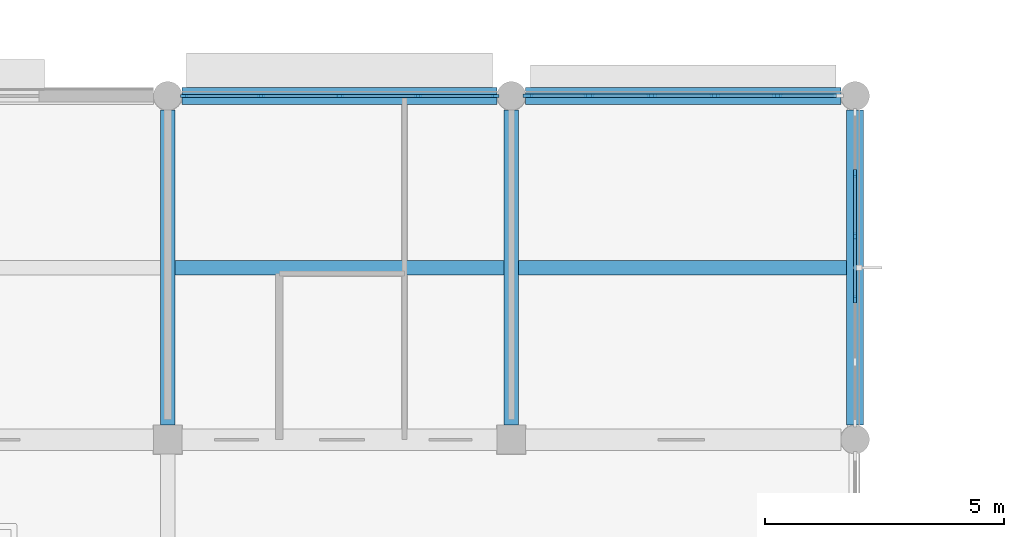
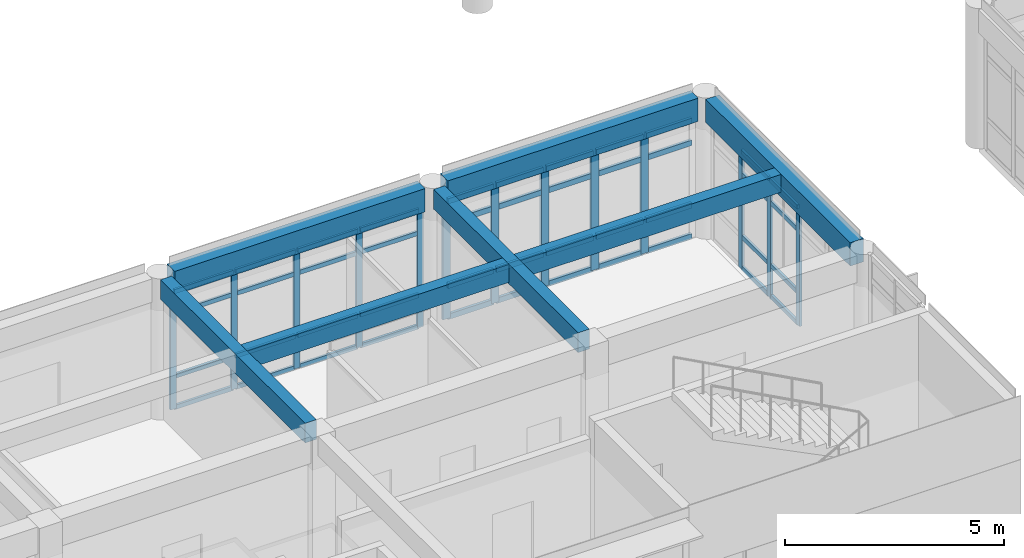
# One storey, part 10 of 41: 57 members, 7 beams, 3 elements without a shape of their own.
"""IFC4 building model written with IfcOpenShell, lengths in metres."""

from ifc_helpers import new_model, si_unit, direction, frame, origin, origin_2d, place, context, subcontext, project, spatial, rectangle, extrude, material, layer, layer_set, material_profile, profile_set, type_object, element, aggregate, save


model = new_model("IFC4")

# Units and contexts
model_context = context("Model", 3, precision=1e-05, world=origin(), true_north=direction((0.0, 1.0)))
body_context = subcontext(model_context, "Body", "Model", "MODEL_VIEW")
ifc_project = project(units=[si_unit("LENGTHUNIT", "METRE"), si_unit("AREAUNIT", "SQUARE_METRE"), si_unit("VOLUMEUNIT", "CUBIC_METRE"), si_unit("PLANEANGLEUNIT", "RADIAN"), si_unit("MASSUNIT", "GRAM", prefix="KILO")], contexts=[model_context])

# Site, building, storey
site_placement = place(None, origin())
site = spatial("IfcSite", under=ifc_project, at=site_placement, CompositionType="ELEMENT")
building_placement = place(site_placement, origin())
building = spatial("IfcBuilding", under=site, at=building_placement, Name="Namkhue Oval Health Centre", CompositionType="ELEMENT")
storey_placement = place(building_placement, frame((0.0, 0.0, 13.800048828125)))
storey = spatial("IfcBuildingStorey", under=building, at=storey_placement, Name="L03", CompositionType="ELEMENT", Elevation=13.800048828125)

# Curtain wall, members
ifc_material_1 = material(Name="Anodised aluminium EN AW-6063 T6", Category="aluminium")
ifc_layer_1 = layer(ifc_material_1, 0.159912109375)
ifc_layer_set_1 = layer_set([ifc_layer_1], Name="Anodised aluminium EN AW-6063 T6")
curtain_wall_type_1 = type_object("IfcCurtainWallType", Name="UNITISED CURTAIN WALL M1200", PredefinedType="NOTDEFINED", material=ifc_layer_set_1)
curtain_wall_1_placement = place(storey_placement, origin())
curtain_wall_1 = element("IfcCurtainWall", 1, at=curtain_wall_1_placement, inside=storey, type_object=curtain_wall_type_1, Name="Volume V2 L03 Unitised Curtain Wall 73", PredefinedType="NOTDEFINED")
ifc_material_profile_1 = material_profile(ifc_material_1, rectangle(XDim=0.06494140625, YDim=0.159912109375, at=origin_2d()), Name="ALU 65x160")
ifc_profile_set_1 = profile_set([ifc_material_profile_1], Name="Anodised aluminium EN AW-6063 T6")
member_type_1 = type_object("IfcMemberType", Name="CURTAIN WALL MULLION 65X160", PredefinedType="MULLION", material=ifc_profile_set_1)
member_1_placement = place(storey_placement, frame((86.39990234375, 100.14208984375, 0.0), z_axis=(0.0, 0.0, 1.0), x_axis=(-1.0, 0.0, 0.0)))
member_1 = element("IfcMember", 2, at=member_1_placement, type_object=member_type_1, Name="CW-01 mullion 3", PredefinedType="MULLION", context=body_context, shape_type="SweptSolid", body=[
    extrude(rectangle(XDim=0.06494140625, YDim=0.159912109375, at=origin_2d()), origin(), (0.0, 0.0, 1.0), 3.294921875),
])
member_2_placement = place(storey_placement, frame((86.39990234375, 101.4580078125, 0.0), z_axis=(0.0, 0.0, 1.0), x_axis=(-1.0, 0.0, 0.0)))
member_2 = element("IfcMember", 3, at=member_2_placement, type_object=member_type_1, Name="CW-01 mullion 4", PredefinedType="MULLION", context=body_context, shape_type="SweptSolid", body=[
    extrude(rectangle(XDim=0.06494140625, YDim=0.159912109375, at=origin_2d()), origin(), (0.0, 0.0, 1.0), 3.294921875),
])
member_3_placement = place(storey_placement, frame((86.39990234375, 102.77392578125, 0.0), z_axis=(0.0, 0.0, 1.0), x_axis=(-1.0, 0.0, 0.0)))
member_3 = element("IfcMember", 4, at=member_3_placement, type_object=member_type_1, Name="CW-01 mullion 5", PredefinedType="MULLION", context=body_context, shape_type="SweptSolid", body=[
    extrude(rectangle(XDim=0.06494140625, YDim=0.159912109375, at=origin_2d()), origin(), (0.0, 0.0, 1.0), 3.294921875),
])

ifc_layer_2 = layer(ifc_material_1, 0.159912109375)
ifc_layer_set_2 = layer_set([ifc_layer_2], Name="Anodised aluminium EN AW-6063 T6")
curtain_wall_type_2 = type_object("IfcCurtainWallType", Name="UNITISED CURTAIN WALL M1500", PredefinedType="NOTDEFINED", material=ifc_layer_set_2)
curtain_wall_2_placement = place(storey_placement, origin())
curtain_wall_2 = element("IfcCurtainWall", 5, at=curtain_wall_2_placement, inside=storey, type_object=curtain_wall_type_2, Name="Volume V2 L03 Unitised Curtain Wall 75", PredefinedType="NOTDEFINED")
member_4_placement = place(storey_placement, frame((78.857421875, 104.39990234375, 0.0), z_axis=(0.0, 0.0, 1.0), x_axis=(0.0, -1.0, 0.0)))
member_4 = element("IfcMember", 6, at=member_4_placement, type_object=member_type_1, Name="CW-03 mullion 1", PredefinedType="MULLION", context=body_context, shape_type="SweptSolid", body=[
    extrude(rectangle(XDim=0.06494140625, YDim=0.159912109375, at=origin_2d()), origin(), (0.0, 0.0, 1.0), 3.294921875),
])
member_5_placement = place(storey_placement, frame((77.2451171875, 104.39990234375, 0.0), z_axis=(0.0, 0.0, 1.0), x_axis=(0.0, -1.0, 0.0)))
member_5 = element("IfcMember", 7, at=member_5_placement, type_object=member_type_1, Name="CW-03 mullion 2", PredefinedType="MULLION", context=body_context, shape_type="SweptSolid", body=[
    extrude(rectangle(XDim=0.06494140625, YDim=0.159912109375, at=origin_2d()), origin(), (0.0, 0.0, 1.0), 3.294921875),
])
member_6_placement = place(storey_placement, frame((75.60009765625, 104.39990234375, 0.0), z_axis=(0.0, 0.0, 1.0), x_axis=(0.0, -1.0, 0.0)))
member_6 = element("IfcMember", 8, at=member_6_placement, type_object=member_type_1, Name="CW-03 mullion 3", PredefinedType="MULLION", context=body_context, shape_type="SweptSolid", body=[
    extrude(rectangle(XDim=0.06494140625, YDim=0.159912109375, at=origin_2d()), origin(), (0.0, 0.0, 1.0), 3.294921875),
])
member_7_placement = place(storey_placement, frame((73.955078125, 104.39990234375, 0.0), z_axis=(0.0, 0.0, 1.0), x_axis=(0.0, -1.0, 0.0)))
member_7 = element("IfcMember", 9, at=member_7_placement, type_object=member_type_1, Name="CW-03 mullion 4", PredefinedType="MULLION", context=body_context, shape_type="SweptSolid", body=[
    extrude(rectangle(XDim=0.06494140625, YDim=0.159912109375, at=origin_2d()), origin(), (0.0, 0.0, 1.0), 3.294921875),
])
member_8_placement = place(storey_placement, frame((72.342529296875, 104.39990234375, 0.0), z_axis=(0.0, 0.0, 1.0), x_axis=(0.0, -1.0, 0.0)))
member_8 = element("IfcMember", 10, at=member_8_placement, type_object=member_type_1, Name="CW-03 mullion 5", PredefinedType="MULLION", context=body_context, shape_type="SweptSolid", body=[
    extrude(rectangle(XDim=0.06494140625, YDim=0.159912109375, at=origin_2d()), origin(), (0.0, 0.0, 1.0), 3.294921875),
])

ifc_layer_3 = layer(ifc_material_1, 0.159912109375)
ifc_layer_set_3 = layer_set([ifc_layer_3], Name="Anodised aluminium EN AW-6063 T6")
curtain_wall_type_3 = type_object("IfcCurtainWallType", Name="UNITISED CURTAIN WALL M1350", PredefinedType="NOTDEFINED", material=ifc_layer_set_3)
curtain_wall_3_placement = place(storey_placement, origin())
curtain_wall_3 = element("IfcCurtainWall", 11, at=curtain_wall_3_placement, inside=storey, type_object=curtain_wall_type_3, Name="Volume V2 L03 Unitised Curtain Wall 74", PredefinedType="NOTDEFINED")
ifc_material_profile_2 = material_profile(ifc_material_1, rectangle(XDim=0.074951171875, YDim=0.199951171875, at=origin_2d()), Name="ALU 75x200")
ifc_profile_set_2 = profile_set([ifc_material_profile_2], Name="Anodised aluminium EN AW-6063 T6")
member_type_2 = type_object("IfcMemberType", Name="CURTAIN WALL MULLION 75X200", PredefinedType="MULLION", material=ifc_profile_set_2)
member_9_placement = place(storey_placement, frame((84.77392578125, 104.39990234375, 0.0), z_axis=(0.0, 0.0, 1.0), x_axis=(0.0, -1.0, 0.0)))
member_9 = element("IfcMember", 12, at=member_9_placement, type_object=member_type_2, Name="CW-02 mullion 2", PredefinedType="MULLION", context=body_context, shape_type="SweptSolid", body=[
    extrude(rectangle(XDim=0.074951171875, YDim=0.199951171875, at=origin_2d()), origin(), (0.0, 0.0, 1.0), 3.294921875),
])
member_10_placement = place(storey_placement, frame((83.4580078125, 104.39990234375, 0.0), z_axis=(0.0, 0.0, 1.0), x_axis=(0.0, -1.0, 0.0)))
member_10 = element("IfcMember", 13, at=member_10_placement, type_object=member_type_2, Name="CW-02 mullion 3", PredefinedType="MULLION", context=body_context, shape_type="SweptSolid", body=[
    extrude(rectangle(XDim=0.074951171875, YDim=0.199951171875, at=origin_2d()), origin(), (0.0, 0.0, 1.0), 3.294921875),
])
member_11_placement = place(storey_placement, frame((82.14208984375, 104.39990234375, 0.0), z_axis=(0.0, 0.0, 1.0), x_axis=(0.0, -1.0, 0.0)))
member_11 = element("IfcMember", 14, at=member_11_placement, type_object=member_type_2, Name="CW-02 mullion 4", PredefinedType="MULLION", context=body_context, shape_type="SweptSolid", body=[
    extrude(rectangle(XDim=0.074951171875, YDim=0.199951171875, at=origin_2d()), origin(), (0.0, 0.0, 1.0), 3.294921875),
])
member_12_placement = place(storey_placement, frame((80.825927734375, 104.39990234375, 0.0), z_axis=(0.0, 0.0, 1.0), x_axis=(0.0, -1.0, 0.0)))
member_12 = element("IfcMember", 15, at=member_12_placement, type_object=member_type_2, Name="CW-02 mullion 5", PredefinedType="MULLION", context=body_context, shape_type="SweptSolid", body=[
    extrude(rectangle(XDim=0.074951171875, YDim=0.199951171875, at=origin_2d()), origin(), (0.0, 0.0, 1.0), 3.294921875),
])
member_13_placement = place(storey_placement, frame((79.547607421875, 104.39990234375, 0.0), z_axis=(0.0, 0.0, 1.0), x_axis=(0.0, -1.0, 0.0)))
member_13 = element("IfcMember", 16, at=member_13_placement, type_object=member_type_2, Name="CW-02 mullion 6", PredefinedType="MULLION", context=body_context, shape_type="SweptSolid", body=[
    extrude(rectangle(XDim=0.074951171875, YDim=0.199951171875, at=origin_2d()), origin(), (0.0, 0.0, 1.0), 3.294921875),
])

# Member
ifc_material_profile_3 = material_profile(ifc_material_1, rectangle(XDim=0.06494140625, YDim=0.1201171875, at=origin_2d()), Name="ALU 65x120")
ifc_profile_set_3 = profile_set([ifc_material_profile_3], Name="Anodised aluminium EN AW-6063 T6")
member_type_3 = type_object("IfcMemberType", Name="CURTAIN WALL TRANSOM 65X120", PredefinedType="USERDEFINED", material=ifc_profile_set_3)
member_14_placement = place(storey_placement, frame((86.39990234375, 100.174560546875, 0.032470703125), z_axis=(0.0, 1.0, 0.0), x_axis=(-1.0, 0.0, 0.0)))
member_14 = element("IfcMember", 17, at=member_14_placement, type_object=member_type_3, Name="CW-01 transom 3.1", ObjectType="TRANSOM", PredefinedType="USERDEFINED", context=body_context, shape_type="SweptSolid", body=[
    extrude(rectangle(XDim=0.06494140625, YDim=0.1201171875, at=origin_2d()), origin(), (0.0, 0.0, 1.0), 1.2509765625),
])

member_15_placement = place(storey_placement, frame((86.39990234375, 100.174560546875, 0.89990234375), z_axis=(0.0, 1.0, 0.0), x_axis=(-1.0, 0.0, 0.0)))
member_15 = element("IfcMember", 18, at=member_15_placement, type_object=member_type_3, Name="CW-01 transom 3.2", ObjectType="TRANSOM", PredefinedType="USERDEFINED", context=body_context, shape_type="SweptSolid", body=[
    extrude(rectangle(XDim=0.06494140625, YDim=0.1201171875, at=origin_2d()), origin(), (0.0, 0.0, 1.0), 1.2509765625),
])

member_16_placement = place(storey_placement, frame((86.39990234375, 100.174560546875, 2.64501953125), z_axis=(0.0, 1.0, 0.0), x_axis=(-1.0, 0.0, 0.0)))
member_16 = element("IfcMember", 19, at=member_16_placement, type_object=member_type_3, Name="CW-01 transom 3.3", ObjectType="TRANSOM", PredefinedType="USERDEFINED", context=body_context, shape_type="SweptSolid", body=[
    extrude(rectangle(XDim=0.06494140625, YDim=0.1201171875, at=origin_2d()), origin(), (0.0, 0.0, 1.0), 1.2509765625),
])

member_17_placement = place(storey_placement, frame((86.39990234375, 100.174560546875, 3.262451171875), z_axis=(0.0, 1.0, 0.0), x_axis=(-1.0, 0.0, 0.0)))
member_17 = element("IfcMember", 20, at=member_17_placement, type_object=member_type_3, Name="CW-01 transom 3.4", ObjectType="TRANSOM", PredefinedType="USERDEFINED", context=body_context, shape_type="SweptSolid", body=[
    extrude(rectangle(XDim=0.06494140625, YDim=0.1201171875, at=origin_2d()), origin(), (0.0, 0.0, 1.0), 1.2509765625),
])

member_18_placement = place(storey_placement, frame((86.39990234375, 101.490478515625, 0.032470703125), z_axis=(0.0, 1.0, 0.0), x_axis=(-1.0, 0.0, 0.0)))
member_18 = element("IfcMember", 21, at=member_18_placement, type_object=member_type_3, Name="CW-01 transom 4.1", ObjectType="TRANSOM", PredefinedType="USERDEFINED", context=body_context, shape_type="SweptSolid", body=[
    extrude(rectangle(XDim=0.06494140625, YDim=0.1201171875, at=origin_2d()), origin(), (0.0, 0.0, 1.0), 1.2509765625),
])

member_19_placement = place(storey_placement, frame((86.39990234375, 101.490478515625, 0.89990234375), z_axis=(0.0, 1.0, 0.0), x_axis=(-1.0, 0.0, 0.0)))
member_19 = element("IfcMember", 22, at=member_19_placement, type_object=member_type_3, Name="CW-01 transom 4.2", ObjectType="TRANSOM", PredefinedType="USERDEFINED", context=body_context, shape_type="SweptSolid", body=[
    extrude(rectangle(XDim=0.06494140625, YDim=0.1201171875, at=origin_2d()), origin(), (0.0, 0.0, 1.0), 1.2509765625),
])

member_20_placement = place(storey_placement, frame((86.39990234375, 101.490478515625, 2.64501953125), z_axis=(0.0, 1.0, 0.0), x_axis=(-1.0, 0.0, 0.0)))
member_20 = element("IfcMember", 23, at=member_20_placement, type_object=member_type_3, Name="CW-01 transom 4.3", ObjectType="TRANSOM", PredefinedType="USERDEFINED", context=body_context, shape_type="SweptSolid", body=[
    extrude(rectangle(XDim=0.06494140625, YDim=0.1201171875, at=origin_2d()), origin(), (0.0, 0.0, 1.0), 1.2509765625),
])

member_21_placement = place(storey_placement, frame((86.39990234375, 101.490478515625, 3.262451171875), z_axis=(0.0, 1.0, 0.0), x_axis=(-1.0, 0.0, 0.0)))
member_21 = element("IfcMember", 24, at=member_21_placement, type_object=member_type_3, Name="CW-01 transom 4.4", ObjectType="TRANSOM", PredefinedType="USERDEFINED", context=body_context, shape_type="SweptSolid", body=[
    extrude(rectangle(XDim=0.06494140625, YDim=0.1201171875, at=origin_2d()), origin(), (0.0, 0.0, 1.0), 1.2509765625),
])

aggregate(curtain_wall_1, [member_1, member_2, member_3, member_14, member_15, member_16, member_17, member_18, member_19, member_20, member_21])

member_22_placement = place(storey_placement, frame((78.824951171875, 104.39990234375, 0.032470703125), z_axis=(-1.0, 0.0, 0.0), x_axis=(0.0, -1.0, 0.0)))
member_22 = element("IfcMember", 25, at=member_22_placement, type_object=member_type_3, Name="CW-03 transom 1.1", ObjectType="TRANSOM", PredefinedType="USERDEFINED", context=body_context, shape_type="SweptSolid", body=[
    extrude(rectangle(XDim=0.06494140625, YDim=0.1201171875, at=origin_2d()), origin(), (0.0, 0.0, 1.0), 1.54736328125),
])

member_23_placement = place(storey_placement, frame((78.824951171875, 104.39990234375, 0.89990234375), z_axis=(-1.0, 0.0, 0.0), x_axis=(0.0, -1.0, 0.0)))
member_23 = element("IfcMember", 26, at=member_23_placement, type_object=member_type_3, Name="CW-03 transom 1.2", ObjectType="TRANSOM", PredefinedType="USERDEFINED", context=body_context, shape_type="SweptSolid", body=[
    extrude(rectangle(XDim=0.06494140625, YDim=0.1201171875, at=origin_2d()), origin(), (0.0, 0.0, 1.0), 1.54736328125),
])

member_24_placement = place(storey_placement, frame((78.824951171875, 104.39990234375, 2.64501953125), z_axis=(-1.0, 0.0, 0.0), x_axis=(0.0, -1.0, 0.0)))
member_24 = element("IfcMember", 27, at=member_24_placement, type_object=member_type_3, Name="CW-03 transom 1.3", ObjectType="TRANSOM", PredefinedType="USERDEFINED", context=body_context, shape_type="SweptSolid", body=[
    extrude(rectangle(XDim=0.06494140625, YDim=0.1201171875, at=origin_2d()), origin(), (0.0, 0.0, 1.0), 1.54736328125),
])

member_25_placement = place(storey_placement, frame((78.824951171875, 104.39990234375, 3.262451171875), z_axis=(-1.0, 0.0, 0.0), x_axis=(0.0, -1.0, 0.0)))
member_25 = element("IfcMember", 28, at=member_25_placement, type_object=member_type_3, Name="CW-03 transom 1.4", ObjectType="TRANSOM", PredefinedType="USERDEFINED", context=body_context, shape_type="SweptSolid", body=[
    extrude(rectangle(XDim=0.06494140625, YDim=0.1201171875, at=origin_2d()), origin(), (0.0, 0.0, 1.0), 1.54736328125),
])

member_26_placement = place(storey_placement, frame((77.21240234375, 104.39990234375, 0.032470703125), z_axis=(-1.0, 0.0, 0.0), x_axis=(0.0, -1.0, 0.0)))
member_26 = element("IfcMember", 29, at=member_26_placement, type_object=member_type_3, Name="CW-03 transom 2.1", ObjectType="TRANSOM", PredefinedType="USERDEFINED", context=body_context, shape_type="SweptSolid", body=[
    extrude(rectangle(XDim=0.06494140625, YDim=0.1201171875, at=origin_2d()), origin(), (0.0, 0.0, 1.0), 1.579833984375),
])

member_27_placement = place(storey_placement, frame((77.21240234375, 104.39990234375, 0.89990234375), z_axis=(-1.0, 0.0, 0.0), x_axis=(0.0, -1.0, 0.0)))
member_27 = element("IfcMember", 30, at=member_27_placement, type_object=member_type_3, Name="CW-03 transom 2.2", ObjectType="TRANSOM", PredefinedType="USERDEFINED", context=body_context, shape_type="SweptSolid", body=[
    extrude(rectangle(XDim=0.06494140625, YDim=0.1201171875, at=origin_2d()), origin(), (0.0, 0.0, 1.0), 1.579833984375),
])

member_28_placement = place(storey_placement, frame((77.21240234375, 104.39990234375, 2.64501953125), z_axis=(-1.0, 0.0, 0.0), x_axis=(0.0, -1.0, 0.0)))
member_28 = element("IfcMember", 31, at=member_28_placement, type_object=member_type_3, Name="CW-03 transom 2.3", ObjectType="TRANSOM", PredefinedType="USERDEFINED", context=body_context, shape_type="SweptSolid", body=[
    extrude(rectangle(XDim=0.06494140625, YDim=0.1201171875, at=origin_2d()), origin(), (0.0, 0.0, 1.0), 1.579833984375),
])

member_29_placement = place(storey_placement, frame((77.21240234375, 104.39990234375, 3.262451171875), z_axis=(-1.0, 0.0, 0.0), x_axis=(0.0, -1.0, 0.0)))
member_29 = element("IfcMember", 32, at=member_29_placement, type_object=member_type_3, Name="CW-03 transom 2.4", ObjectType="TRANSOM", PredefinedType="USERDEFINED", context=body_context, shape_type="SweptSolid", body=[
    extrude(rectangle(XDim=0.06494140625, YDim=0.1201171875, at=origin_2d()), origin(), (0.0, 0.0, 1.0), 1.579833984375),
])

member_30_placement = place(storey_placement, frame((75.5673828125, 104.39990234375, 0.032470703125), z_axis=(-1.0, 0.0, 0.0), x_axis=(0.0, -1.0, 0.0)))
member_30 = element("IfcMember", 33, at=member_30_placement, type_object=member_type_3, Name="CW-03 transom 3.1", ObjectType="TRANSOM", PredefinedType="USERDEFINED", context=body_context, shape_type="SweptSolid", body=[
    extrude(rectangle(XDim=0.06494140625, YDim=0.1201171875, at=origin_2d()), origin(), (0.0, 0.0, 1.0), 1.579833984375),
])

member_31_placement = place(storey_placement, frame((75.5673828125, 104.39990234375, 0.89990234375), z_axis=(-1.0, 0.0, 0.0), x_axis=(0.0, -1.0, 0.0)))
member_31 = element("IfcMember", 34, at=member_31_placement, type_object=member_type_3, Name="CW-03 transom 3.2", ObjectType="TRANSOM", PredefinedType="USERDEFINED", context=body_context, shape_type="SweptSolid", body=[
    extrude(rectangle(XDim=0.06494140625, YDim=0.1201171875, at=origin_2d()), origin(), (0.0, 0.0, 1.0), 1.579833984375),
])

member_32_placement = place(storey_placement, frame((75.5673828125, 104.39990234375, 2.64501953125), z_axis=(-1.0, 0.0, 0.0), x_axis=(0.0, -1.0, 0.0)))
member_32 = element("IfcMember", 35, at=member_32_placement, type_object=member_type_3, Name="CW-03 transom 3.3", ObjectType="TRANSOM", PredefinedType="USERDEFINED", context=body_context, shape_type="SweptSolid", body=[
    extrude(rectangle(XDim=0.06494140625, YDim=0.1201171875, at=origin_2d()), origin(), (0.0, 0.0, 1.0), 1.579833984375),
])

member_33_placement = place(storey_placement, frame((75.5673828125, 104.39990234375, 3.262451171875), z_axis=(-1.0, 0.0, 0.0), x_axis=(0.0, -1.0, 0.0)))
member_33 = element("IfcMember", 36, at=member_33_placement, type_object=member_type_3, Name="CW-03 transom 3.4", ObjectType="TRANSOM", PredefinedType="USERDEFINED", context=body_context, shape_type="SweptSolid", body=[
    extrude(rectangle(XDim=0.06494140625, YDim=0.1201171875, at=origin_2d()), origin(), (0.0, 0.0, 1.0), 1.579833984375),
])

member_34_placement = place(storey_placement, frame((73.922607421875, 104.39990234375, 0.032470703125), z_axis=(-1.0, 0.0, 0.0), x_axis=(0.0, -1.0, 0.0)))
member_34 = element("IfcMember", 37, at=member_34_placement, type_object=member_type_3, Name="CW-03 transom 4.1", ObjectType="TRANSOM", PredefinedType="USERDEFINED", context=body_context, shape_type="SweptSolid", body=[
    extrude(rectangle(XDim=0.06494140625, YDim=0.1201171875, at=origin_2d()), origin(), (0.0, 0.0, 1.0), 1.547607421875),
])

member_35_placement = place(storey_placement, frame((73.922607421875, 104.39990234375, 0.89990234375), z_axis=(-1.0, 0.0, 0.0), x_axis=(0.0, -1.0, 0.0)))
member_35 = element("IfcMember", 38, at=member_35_placement, type_object=member_type_3, Name="CW-03 transom 4.2", ObjectType="TRANSOM", PredefinedType="USERDEFINED", context=body_context, shape_type="SweptSolid", body=[
    extrude(rectangle(XDim=0.06494140625, YDim=0.1201171875, at=origin_2d()), origin(), (0.0, 0.0, 1.0), 1.547607421875),
])

member_36_placement = place(storey_placement, frame((73.922607421875, 104.39990234375, 2.64501953125), z_axis=(-1.0, 0.0, 0.0), x_axis=(0.0, -1.0, 0.0)))
member_36 = element("IfcMember", 39, at=member_36_placement, type_object=member_type_3, Name="CW-03 transom 4.3", ObjectType="TRANSOM", PredefinedType="USERDEFINED", context=body_context, shape_type="SweptSolid", body=[
    extrude(rectangle(XDim=0.06494140625, YDim=0.1201171875, at=origin_2d()), origin(), (0.0, 0.0, 1.0), 1.547607421875),
])

member_37_placement = place(storey_placement, frame((73.922607421875, 104.39990234375, 3.262451171875), z_axis=(-1.0, 0.0, 0.0), x_axis=(0.0, -1.0, 0.0)))
member_37 = element("IfcMember", 40, at=member_37_placement, type_object=member_type_3, Name="CW-03 transom 4.4", ObjectType="TRANSOM", PredefinedType="USERDEFINED", context=body_context, shape_type="SweptSolid", body=[
    extrude(rectangle(XDim=0.06494140625, YDim=0.1201171875, at=origin_2d()), origin(), (0.0, 0.0, 1.0), 1.547607421875),
])

aggregate(curtain_wall_2, [member_4, member_5, member_6, member_7, member_8, member_22, member_23, member_24, member_25, member_26, member_27, member_28, member_29, member_30, member_31, member_32, member_33, member_34, member_35, member_36, member_37])

ifc_material_profile_4 = material_profile(ifc_material_1, rectangle(XDim=0.074951171875, YDim=0.14990234375, at=origin_2d()), Name="ALU 75x150")
ifc_profile_set_4 = profile_set([ifc_material_profile_4], Name="Anodised aluminium EN AW-6063 T6")
member_type_4 = type_object("IfcMemberType", Name="CURTAIN WALL TRANSOM 75X150", PredefinedType="USERDEFINED", material=ifc_profile_set_4)
member_38_placement = place(storey_placement, frame((86.014892578125, 104.39990234375, 0.037353515625), z_axis=(-1.0, 0.0, 0.0), x_axis=(0.0, -1.0, 0.0)))
member_38 = element("IfcMember", 41, at=member_38_placement, type_object=member_type_4, Name="CW-02 transom 1.1", ObjectType="TRANSOM", PredefinedType="USERDEFINED", context=body_context, shape_type="SweptSolid", body=[
    extrude(rectangle(XDim=0.074951171875, YDim=0.14990234375, at=origin_2d()), origin(), (0.0, 0.0, 1.0), 1.203369140625),
])

member_39_placement = place(storey_placement, frame((86.014892578125, 104.39990234375, 0.89990234375), z_axis=(-1.0, 0.0, 0.0), x_axis=(0.0, -1.0, 0.0)))
member_39 = element("IfcMember", 42, at=member_39_placement, type_object=member_type_4, Name="CW-02 transom 1.2", ObjectType="TRANSOM", PredefinedType="USERDEFINED", context=body_context, shape_type="SweptSolid", body=[
    extrude(rectangle(XDim=0.074951171875, YDim=0.14990234375, at=origin_2d()), origin(), (0.0, 0.0, 1.0), 1.203369140625),
])

member_40_placement = place(storey_placement, frame((86.014892578125, 104.39990234375, 2.64501953125), z_axis=(-1.0, 0.0, 0.0), x_axis=(0.0, -1.0, 0.0)))
member_40 = element("IfcMember", 43, at=member_40_placement, type_object=member_type_4, Name="CW-02 transom 1.3", ObjectType="TRANSOM", PredefinedType="USERDEFINED", context=body_context, shape_type="SweptSolid", body=[
    extrude(rectangle(XDim=0.074951171875, YDim=0.14990234375, at=origin_2d()), origin(), (0.0, 0.0, 1.0), 1.203369140625),
])

member_41_placement = place(storey_placement, frame((86.014892578125, 104.39990234375, 3.257568359375), z_axis=(-1.0, 0.0, 0.0), x_axis=(0.0, -1.0, 0.0)))
member_41 = element("IfcMember", 44, at=member_41_placement, type_object=member_type_4, Name="CW-02 transom 1.4", ObjectType="TRANSOM", PredefinedType="USERDEFINED", context=body_context, shape_type="SweptSolid", body=[
    extrude(rectangle(XDim=0.074951171875, YDim=0.14990234375, at=origin_2d()), origin(), (0.0, 0.0, 1.0), 1.203369140625),
])

member_42_placement = place(storey_placement, frame((84.736572265625, 104.39990234375, 0.037353515625), z_axis=(-1.0, 0.0, 0.0), x_axis=(0.0, -1.0, 0.0)))
member_42 = element("IfcMember", 45, at=member_42_placement, type_object=member_type_4, Name="CW-02 transom 2.1", ObjectType="TRANSOM", PredefinedType="USERDEFINED", context=body_context, shape_type="SweptSolid", body=[
    extrude(rectangle(XDim=0.074951171875, YDim=0.14990234375, at=origin_2d()), origin(), (0.0, 0.0, 1.0), 1.240966796875),
])

member_43_placement = place(storey_placement, frame((84.736572265625, 104.39990234375, 0.89990234375), z_axis=(-1.0, 0.0, 0.0), x_axis=(0.0, -1.0, 0.0)))
member_43 = element("IfcMember", 46, at=member_43_placement, type_object=member_type_4, Name="CW-02 transom 2.2", ObjectType="TRANSOM", PredefinedType="USERDEFINED", context=body_context, shape_type="SweptSolid", body=[
    extrude(rectangle(XDim=0.074951171875, YDim=0.14990234375, at=origin_2d()), origin(), (0.0, 0.0, 1.0), 1.240966796875),
])

member_44_placement = place(storey_placement, frame((84.736572265625, 104.39990234375, 2.64501953125), z_axis=(-1.0, 0.0, 0.0), x_axis=(0.0, -1.0, 0.0)))
member_44 = element("IfcMember", 47, at=member_44_placement, type_object=member_type_4, Name="CW-02 transom 2.3", ObjectType="TRANSOM", PredefinedType="USERDEFINED", context=body_context, shape_type="SweptSolid", body=[
    extrude(rectangle(XDim=0.074951171875, YDim=0.14990234375, at=origin_2d()), origin(), (0.0, 0.0, 1.0), 1.240966796875),
])

member_45_placement = place(storey_placement, frame((84.736572265625, 104.39990234375, 3.257568359375), z_axis=(-1.0, 0.0, 0.0), x_axis=(0.0, -1.0, 0.0)))
member_45 = element("IfcMember", 48, at=member_45_placement, type_object=member_type_4, Name="CW-02 transom 2.4", ObjectType="TRANSOM", PredefinedType="USERDEFINED", context=body_context, shape_type="SweptSolid", body=[
    extrude(rectangle(XDim=0.074951171875, YDim=0.14990234375, at=origin_2d()), origin(), (0.0, 0.0, 1.0), 1.240966796875),
])

member_46_placement = place(storey_placement, frame((83.42041015625, 104.39990234375, 0.037353515625), z_axis=(-1.0, 0.0, 0.0), x_axis=(0.0, -1.0, 0.0)))
member_46 = element("IfcMember", 49, at=member_46_placement, type_object=member_type_4, Name="CW-02 transom 3.1", ObjectType="TRANSOM", PredefinedType="USERDEFINED", context=body_context, shape_type="SweptSolid", body=[
    extrude(rectangle(XDim=0.074951171875, YDim=0.14990234375, at=origin_2d()), origin(), (0.0, 0.0, 1.0), 1.240966796875),
])

member_47_placement = place(storey_placement, frame((83.42041015625, 104.39990234375, 0.89990234375), z_axis=(-1.0, 0.0, 0.0), x_axis=(0.0, -1.0, 0.0)))
member_47 = element("IfcMember", 50, at=member_47_placement, type_object=member_type_4, Name="CW-02 transom 3.2", ObjectType="TRANSOM", PredefinedType="USERDEFINED", context=body_context, shape_type="SweptSolid", body=[
    extrude(rectangle(XDim=0.074951171875, YDim=0.14990234375, at=origin_2d()), origin(), (0.0, 0.0, 1.0), 1.240966796875),
])

member_48_placement = place(storey_placement, frame((83.42041015625, 104.39990234375, 2.64501953125), z_axis=(-1.0, 0.0, 0.0), x_axis=(0.0, -1.0, 0.0)))
member_48 = element("IfcMember", 51, at=member_48_placement, type_object=member_type_4, Name="CW-02 transom 3.3", ObjectType="TRANSOM", PredefinedType="USERDEFINED", context=body_context, shape_type="SweptSolid", body=[
    extrude(rectangle(XDim=0.074951171875, YDim=0.14990234375, at=origin_2d()), origin(), (0.0, 0.0, 1.0), 1.240966796875),
])

member_49_placement = place(storey_placement, frame((83.42041015625, 104.39990234375, 3.257568359375), z_axis=(-1.0, 0.0, 0.0), x_axis=(0.0, -1.0, 0.0)))
member_49 = element("IfcMember", 52, at=member_49_placement, type_object=member_type_4, Name="CW-02 transom 3.4", ObjectType="TRANSOM", PredefinedType="USERDEFINED", context=body_context, shape_type="SweptSolid", body=[
    extrude(rectangle(XDim=0.074951171875, YDim=0.14990234375, at=origin_2d()), origin(), (0.0, 0.0, 1.0), 1.240966796875),
])

member_50_placement = place(storey_placement, frame((82.1044921875, 104.39990234375, 0.037353515625), z_axis=(-1.0, 0.0, 0.0), x_axis=(0.0, -1.0, 0.0)))
member_50 = element("IfcMember", 53, at=member_50_placement, type_object=member_type_4, Name="CW-02 transom 4.1", ObjectType="TRANSOM", PredefinedType="USERDEFINED", context=body_context, shape_type="SweptSolid", body=[
    extrude(rectangle(XDim=0.074951171875, YDim=0.14990234375, at=origin_2d()), origin(), (0.0, 0.0, 1.0), 1.240966796875),
])

member_51_placement = place(storey_placement, frame((82.1044921875, 104.39990234375, 0.89990234375), z_axis=(-1.0, 0.0, 0.0), x_axis=(0.0, -1.0, 0.0)))
member_51 = element("IfcMember", 54, at=member_51_placement, type_object=member_type_4, Name="CW-02 transom 4.2", ObjectType="TRANSOM", PredefinedType="USERDEFINED", context=body_context, shape_type="SweptSolid", body=[
    extrude(rectangle(XDim=0.074951171875, YDim=0.14990234375, at=origin_2d()), origin(), (0.0, 0.0, 1.0), 1.240966796875),
])

member_52_placement = place(storey_placement, frame((82.1044921875, 104.39990234375, 2.64501953125), z_axis=(-1.0, 0.0, 0.0), x_axis=(0.0, -1.0, 0.0)))
member_52 = element("IfcMember", 55, at=member_52_placement, type_object=member_type_4, Name="CW-02 transom 4.3", ObjectType="TRANSOM", PredefinedType="USERDEFINED", context=body_context, shape_type="SweptSolid", body=[
    extrude(rectangle(XDim=0.074951171875, YDim=0.14990234375, at=origin_2d()), origin(), (0.0, 0.0, 1.0), 1.240966796875),
])

member_53_placement = place(storey_placement, frame((82.1044921875, 104.39990234375, 3.257568359375), z_axis=(-1.0, 0.0, 0.0), x_axis=(0.0, -1.0, 0.0)))
member_53 = element("IfcMember", 56, at=member_53_placement, type_object=member_type_4, Name="CW-02 transom 4.4", ObjectType="TRANSOM", PredefinedType="USERDEFINED", context=body_context, shape_type="SweptSolid", body=[
    extrude(rectangle(XDim=0.074951171875, YDim=0.14990234375, at=origin_2d()), origin(), (0.0, 0.0, 1.0), 1.240966796875),
])

member_54_placement = place(storey_placement, frame((80.78857421875, 104.39990234375, 0.037353515625), z_axis=(-1.0, 0.0, 0.0), x_axis=(0.0, -1.0, 0.0)))
member_54 = element("IfcMember", 57, at=member_54_placement, type_object=member_type_4, Name="CW-02 transom 5.1", ObjectType="TRANSOM", PredefinedType="USERDEFINED", context=body_context, shape_type="SweptSolid", body=[
    extrude(rectangle(XDim=0.074951171875, YDim=0.14990234375, at=origin_2d()), origin(), (0.0, 0.0, 1.0), 1.20361328125),
])

member_55_placement = place(storey_placement, frame((80.78857421875, 104.39990234375, 0.89990234375), z_axis=(-1.0, 0.0, 0.0), x_axis=(0.0, -1.0, 0.0)))
member_55 = element("IfcMember", 58, at=member_55_placement, type_object=member_type_4, Name="CW-02 transom 5.2", ObjectType="TRANSOM", PredefinedType="USERDEFINED", context=body_context, shape_type="SweptSolid", body=[
    extrude(rectangle(XDim=0.074951171875, YDim=0.14990234375, at=origin_2d()), origin(), (0.0, 0.0, 1.0), 1.20361328125),
])

member_56_placement = place(storey_placement, frame((80.78857421875, 104.39990234375, 2.64501953125), z_axis=(-1.0, 0.0, 0.0), x_axis=(0.0, -1.0, 0.0)))
member_56 = element("IfcMember", 59, at=member_56_placement, type_object=member_type_4, Name="CW-02 transom 5.3", ObjectType="TRANSOM", PredefinedType="USERDEFINED", context=body_context, shape_type="SweptSolid", body=[
    extrude(rectangle(XDim=0.074951171875, YDim=0.14990234375, at=origin_2d()), origin(), (0.0, 0.0, 1.0), 1.20361328125),
])

member_57_placement = place(storey_placement, frame((80.78857421875, 104.39990234375, 3.257568359375), z_axis=(-1.0, 0.0, 0.0), x_axis=(0.0, -1.0, 0.0)))
member_57 = element("IfcMember", 60, at=member_57_placement, type_object=member_type_4, Name="CW-02 transom 5.4", ObjectType="TRANSOM", PredefinedType="USERDEFINED", context=body_context, shape_type="SweptSolid", body=[
    extrude(rectangle(XDim=0.074951171875, YDim=0.14990234375, at=origin_2d()), origin(), (0.0, 0.0, 1.0), 1.20361328125),
])

aggregate(curtain_wall_3, [member_9, member_10, member_11, member_12, member_13, member_38, member_39, member_40, member_41, member_42, member_43, member_44, member_45, member_46, member_47, member_48, member_49, member_50, member_51, member_52, member_53, member_54, member_55, member_56, member_57])

# Beams
ifc_material_2 = material(Name="Reinforced concrete C30/37 (TCVN B35)", Category="concrete")
ifc_material_profile_5 = material_profile(ifc_material_2, rectangle(XDim=0.300048828125, YDim=0.550048828125, at=origin_2d()), Name="RC 300x550")
ifc_profile_set_5 = profile_set([ifc_material_profile_5], Name="Reinforced concrete C30/37 (TCVN B35)")
beam_type_1 = type_object("IfcBeamType", Name="FLOOR BEAM RC 300X550", PredefinedType="BEAM", material=ifc_profile_set_5)
for number, where, z_axis, x_axis, name in (
    (61, (72.0, 97.5, 3.669921875), (0.0, 1.0, 0.0), (-1.0, 0.0, 0.0), "Volume V2 L04 Beam 11/O-P"),
    (62, (79.199951171875, 97.5, 3.669921875), (0.0, 1.0, 0.0), (-1.0, 0.0, 0.0), "Volume V2 L04 Beam 12/O-P"),
):
    element("IfcBeam", number, at=place(storey_placement, frame(where, z_axis=z_axis, x_axis=x_axis)), inside=storey, type_object=beam_type_1, Name=name, PredefinedType="BEAM", context=body_context, shape_type="SweptSolid", body=[
        extrude(rectangle(XDim=0.300048828125, YDim=0.550048828125, at=origin_2d()), origin(), (0.0, 0.0, 1.0), 6.60009765625),
    ])
ifc_material_3 = material(Name="Reinforced concrete C35/45 (TCVN B40)", Category="concrete")
ifc_material_profile_6 = material_profile(ifc_material_3, rectangle(XDim=0.35009765625, YDim=0.64990234375, at=origin_2d()), Name="RC 350x650")
ifc_profile_set_6 = profile_set([ifc_material_profile_6], Name="Reinforced concrete C35/45 (TCVN B40)")
beam_type_2 = type_object("IfcBeamType", Name="PERIMETER SPANDREL BEAM 350X650", PredefinedType="SPANDREL", material=ifc_profile_set_6)
beam_1_placement = place(storey_placement, frame((72.300048828125, 104.39990234375, 3.619873046875), z_axis=(1.0, 0.0, 0.0), x_axis=(0.0, 1.0, 0.0)))
element("IfcBeam", 63, at=beam_1_placement, inside=storey, type_object=beam_type_2, Name="Volume V2 L04 Girder P/11-12", PredefinedType="SPANDREL", context=body_context, shape_type="SweptSolid", body=[
    extrude(rectangle(XDim=0.35009765625, YDim=0.64990234375, at=origin_2d()), origin(), (0.0, 0.0, 1.0), 6.599853515625),
])
for number, where, z_axis, x_axis, name in (
    (64, (79.5, 104.39990234375, 3.619873046875), (1.0, 0.0, 0.0), (0.0, 1.0, 0.0), "Volume V2 L04 Girder P/12-13"),
    (65, (86.39990234375, 97.5, 3.619873046875), (0.0, 1.0, 0.0), (-1.0, 0.0, 0.0), "Volume V2 L04 Beam 13/O-P"),
):
    element("IfcBeam", number, at=place(storey_placement, frame(where, z_axis=z_axis, x_axis=x_axis)), inside=storey, type_object=beam_type_2, Name=name, PredefinedType="SPANDREL", context=body_context, shape_type="SweptSolid", body=[
        extrude(rectangle(XDim=0.35009765625, YDim=0.64990234375, at=origin_2d()), origin(), (0.0, 0.0, 1.0), 6.60009765625),
    ])
ifc_material_profile_7 = material_profile(ifc_material_2, rectangle(XDim=0.300048828125, YDim=0.5, at=origin_2d()), Name="RC 300x500")
ifc_profile_set_7 = profile_set([ifc_material_profile_7], Name="Reinforced concrete C30/37 (TCVN B35)")
beam_type_3 = type_object("IfcBeamType", Name="SECONDARY JOIST RC 300X500", PredefinedType="JOIST", material=ifc_profile_set_7)
beam_2_placement = place(storey_placement, frame((72.14990234375, 100.800048828125, 3.695068359375), z_axis=(1.0, 0.0, 0.0), x_axis=(0.0, 1.0, 0.0)))
element("IfcBeam", 66, at=beam_2_placement, inside=storey, type_object=beam_type_3, Name="Volume V2 L04 Secondary Joist 11-12", PredefinedType="JOIST", context=body_context, shape_type="SweptSolid", body=[
    extrude(rectangle(XDim=0.300048828125, YDim=0.5, at=origin_2d()), origin(), (0.0, 0.0, 1.0), 6.900146484375),
])
beam_3_placement = place(storey_placement, frame((79.35009765625, 100.800048828125, 3.695068359375), z_axis=(1.0, 0.0, 0.0), x_axis=(0.0, 1.0, 0.0)))
element("IfcBeam", 67, at=beam_3_placement, inside=storey, type_object=beam_type_3, Name="Volume V2 L04 Secondary Joist 12-13", PredefinedType="JOIST", context=body_context, shape_type="SweptSolid", body=[
    extrude(rectangle(XDim=0.300048828125, YDim=0.5, at=origin_2d()), origin(), (0.0, 0.0, 1.0), 6.875),
])

save(model, "model.ifc")
